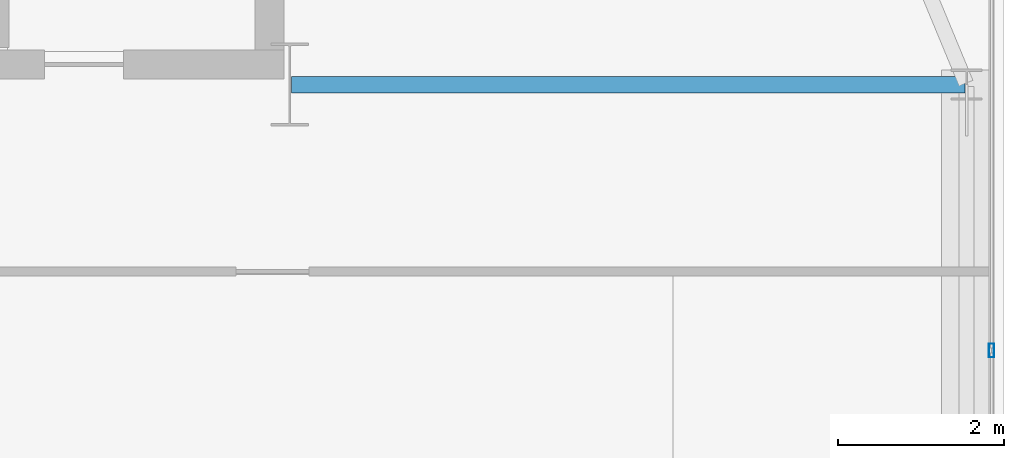
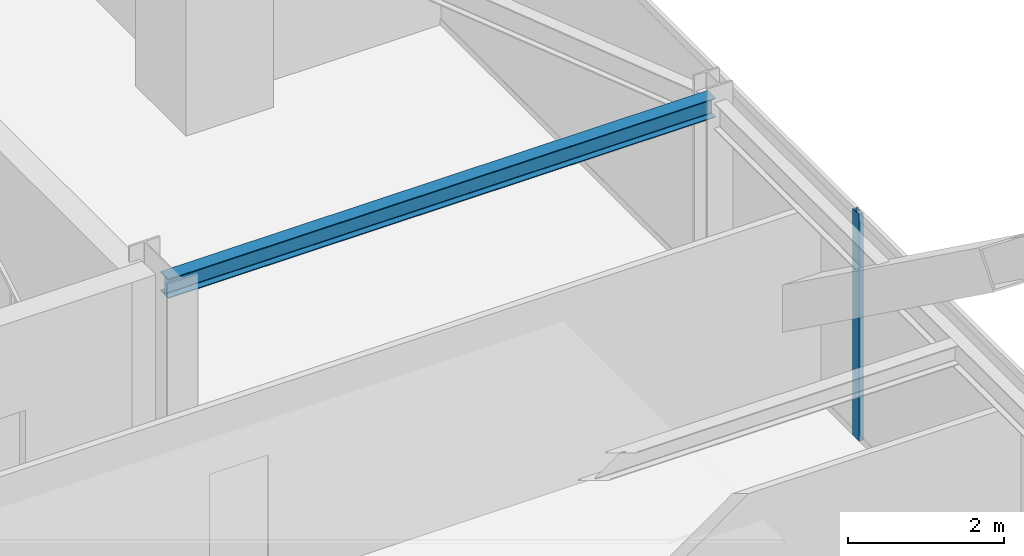
# One storey, part 20 of 34: 1 beam, 1 member, 1 element without a shape of its own.
"""IFC4 building model written with IfcOpenShell, lengths in metres."""

import ifcopenshell
import ifcopenshell.guid

model = None  # the IFC model being written
_history = None  # IfcOwnerHistory: only IFC2X3 demands one
_inside = {}  # id of a spatial element -> (the spatial element, [elements in it])
_under = {}  # id of a project, library or spatial element -> (it, [spatial elements below it])
_declared = {}  # id of a project -> (the project, [libraries it declares])
_typed = {}  # id of a type object -> (the type object, [elements of that type])
_made_of = {}  # id of a material, layer set ... -> (it, [elements and type objects made of it])


def new_model(schema):
    """Start an empty IFC model of exactly this schema.

    Asked for "IFC4X3", IfcOpenShell would pick the latest addendum, in which some entities
    have other attributes; the version numbers below select the first issue.
    IFC2X3 requires an IfcOwnerHistory on every rooted entity: one is made here for all.
    """
    global model, _history
    if schema == "IFC4X3":
        model = ifcopenshell.file(schema_version=(4, 3, 0, 0))
    else:
        model = ifcopenshell.file(schema=schema)
    _inside.clear()
    _under.clear()
    _declared.clear()
    _typed.clear()
    _made_of.clear()
    _history = None
    if model.schema == "IFC2X3":
        org = make("IfcOrganization", Name="unknown")
        user = make(
            "IfcPersonAndOrganization",
            ThePerson=make("IfcPerson", FamilyName="unknown"),
            TheOrganization=org,
        )
        app = make(
            "IfcApplication",
            ApplicationDeveloper=org,
            Version="unknown",
            ApplicationFullName="unknown",
            ApplicationIdentifier="unknown",
        )
        _history = make(
            "IfcOwnerHistory",
            OwningUser=user,
            OwningApplication=app,
            ChangeAction="ADDED",
            CreationDate=0,
        )
    return model


def make(cls, **values):
    """One entity of the class cls with the attributes given. An attribute that is None is left unset."""
    return model.create_entity(
        cls, **{name: value for name, value in values.items() if value is not None}
    )


def rooted(cls, **values):
    """An entity with a GlobalId (a new one), such as an element, a storey or a relation."""
    return make(cls, GlobalId=ifcopenshell.guid.new(), OwnerHistory=_history, **values)


def si_unit(unit_type, name, prefix=None):
    """IfcSIUnit, for example si_unit("LENGTHUNIT", "METRE", prefix="MILLI")."""
    return make("IfcSIUnit", UnitType=unit_type, Prefix=prefix, Name=name)


def assignment(units):
    """IfcUnitAssignment: the units of a project."""
    return None if units is None else make("IfcUnitAssignment", Units=units)


def point(xyz):
    """IfcCartesianPoint."""
    return None if xyz is None else make("IfcCartesianPoint", Coordinates=xyz)


def direction(xyz):
    """IfcDirection."""
    return None if xyz is None else make("IfcDirection", DirectionRatios=xyz)


def frame(location, z_axis=None, x_axis=None):
    """IfcAxis2Placement3D, a coordinate frame: its origin and axes. An axis left out is left unset."""
    return make(
        "IfcAxis2Placement3D",
        Location=point(location),
        Axis=direction(z_axis),
        RefDirection=direction(x_axis),
    )


def frame_2d(location, x_axis=None):
    """IfcAxis2Placement2D, a coordinate frame in the plane: its origin and x axis."""
    return make(
        "IfcAxis2Placement2D", Location=point(location), RefDirection=direction(x_axis)
    )


def origin():
    """The frame at (0, 0, 0) with its axes left unset."""
    return frame((0.0, 0.0, 0.0))


def origin_2d():
    """The frame at (0, 0) in the plane with its x axis left unset."""
    return frame_2d((0.0, 0.0))


def place(relative_to, where):
    """IfcLocalPlacement: puts the frame where relative to a parent placement (None: the world)."""
    return make(
        "IfcLocalPlacement", PlacementRelTo=relative_to, RelativePlacement=where
    )


def context(
    kind, dimensions, precision=None, world=None, true_north=None, identifier=None
):
    """IfcGeometricRepresentationContext, for example the 3D "Model" context."""
    return make(
        "IfcGeometricRepresentationContext",
        ContextIdentifier=identifier,
        ContextType=kind,
        CoordinateSpaceDimension=dimensions,
        Precision=precision,
        WorldCoordinateSystem=world,
        TrueNorth=true_north,
    )


def subcontext(parent, identifier, kind, view, scale=None):
    """IfcGeometricRepresentationSubContext, for example "Body" below "Model"."""
    return make(
        "IfcGeometricRepresentationSubContext",
        ContextIdentifier=identifier,
        ContextType=kind,
        ParentContext=parent,
        TargetScale=scale,
        TargetView=view,
    )


def project(units=None, contexts=None):
    """IfcProject with its units and contexts."""
    return rooted(
        "IfcProject",
        Name="project",
        RepresentationContexts=contexts,
        UnitsInContext=assignment(units),
    )


def spatial(cls, under=None, at=None, **own):
    """A site, building, storey or space (cls), placed at a placement, below another one or the project."""
    s = rooted(cls, ObjectPlacement=at, **own)
    if under is not None:
        _under.setdefault(under.id(), (under, []))[1].append(s)
    return s


def profile(cls, at=None, kind="AREA", **sizes):
    """A parametric profile (cls). Its sizes go by their IFC names, for example OverallWidth=200.0."""
    return make(cls, ProfileType=kind, Position=at, **sizes)


def hollow_rectangle(**sizes):
    """IfcRectangleHollowProfileDef."""
    return profile("IfcRectangleHollowProfileDef", **sizes)


def i_section(**sizes):
    """IfcIShapeProfileDef."""
    return profile("IfcIShapeProfileDef", **sizes)


def extrude(swept, where, along, depth):
    """IfcExtrudedAreaSolid: the profile swept, set in the frame where, extruded along a direction by depth."""
    return make(
        "IfcExtrudedAreaSolid",
        SweptArea=swept,
        Position=where,
        ExtrudedDirection=direction(along),
        Depth=depth,
    )


def shape(context_of_items, identifier, shape_type, items):
    """IfcShapeRepresentation: the items that make up one representation, for example the "Body"."""
    return make(
        "IfcShapeRepresentation",
        ContextOfItems=context_of_items,
        RepresentationIdentifier=identifier,
        RepresentationType=shape_type,
        Items=items,
    )


def source(mapping_origin, context_of_items, identifier, shape_type, items):
    """IfcRepresentationMap: a shape defined once, which mapped items show again and again."""
    return make(
        "IfcRepresentationMap",
        MappingOrigin=mapping_origin,
        MappedRepresentation=shape(context_of_items, identifier, shape_type, items),
    )


def transform(
    local_origin,
    x_axis=None,
    y_axis=None,
    z_axis=None,
    scale=None,
    scale2=None,
    scale3=None,
    uniform=True,
):
    """IfcCartesianTransformationOperator3D, or its non-uniform kind. x_axis, y_axis, z_axis: its Axis1, 2, 3."""
    if uniform:
        return make(
            "IfcCartesianTransformationOperator3D",
            Axis1=direction(x_axis),
            Axis2=direction(y_axis),
            LocalOrigin=point(local_origin),
            Scale=scale,
            Axis3=direction(z_axis),
        )
    return make(
        "IfcCartesianTransformationOperator3DnonUniform",
        Axis1=direction(x_axis),
        Axis2=direction(y_axis),
        LocalOrigin=point(local_origin),
        Scale=scale,
        Axis3=direction(z_axis),
        Scale2=scale2,
        Scale3=scale3,
    )


def mapped(mapping_source, mapping_target):
    """IfcMappedItem: shows the shape of a source again, moved by a transform."""
    return make(
        "IfcMappedItem", MappingSource=mapping_source, MappingTarget=mapping_target
    )


def material(Name=None, Category=None):
    """IfcMaterial."""
    return make("IfcMaterial", Name=Name, Category=Category)


def layer(
    of_material, thickness, ventilated=None, Name=None, Category=None, Priority=None
):
    """IfcMaterialLayer: one layer of a wall or slab, of a material (None: an air gap)."""
    return make(
        "IfcMaterialLayer",
        Material=of_material,
        LayerThickness=thickness,
        IsVentilated=ventilated,
        Name=Name,
        Category=Category,
        Priority=Priority,
    )


def layer_set(layers, Name=None):
    """IfcMaterialLayerSet."""
    return make("IfcMaterialLayerSet", MaterialLayers=layers, LayerSetName=Name)


def material_profile(
    of_material, cross_section, Name=None, Category=None, Priority=None
):
    """IfcMaterialProfile: a cross section and its material."""
    return make(
        "IfcMaterialProfile",
        Name=Name,
        Material=of_material,
        Profile=cross_section,
        Priority=Priority,
        Category=Category,
    )


def profile_set(profiles, Name=None, composite=None):
    """IfcMaterialProfileSet."""
    return make(
        "IfcMaterialProfileSet",
        Name=Name,
        MaterialProfiles=profiles,
        CompositeProfile=composite,
    )


def made_of(thing, what):
    """Note that an element or type object is made of a material, layer set ...; save() writes the relation."""
    if what is not None:
        _made_of.setdefault(what.id(), (what, []))[1].append(thing)
    return thing


def type_object(cls, material=None, **own):
    """A type object (cls), such as IfcWallType, which elements share."""
    return made_of(rooted(cls, **own), material)


def type_shapes(of_type, sources):
    """Give a type object the sources (RepresentationMaps) that its elements show as mapped items."""
    of_type.RepresentationMaps = sources


def element(
    cls,
    number,
    at=None,
    inside=None,
    cuts=None,
    type_object=None,
    material=None,
    context=None,
    identifier="Body",
    shape_type=None,
    held_by="IfcProductDefinitionShape",
    body=None,
    shapes=None,
    **own,
):
    """One element of the class cls, such as IfcWall. Its Tag is "e" and its number.

    at: its placement. inside: the storey or other place that contains it. cuts: it is an
    opening in that element (IfcRelVoidsElement). A single representation is given by context,
    identifier, shape_type and body (its items); several are given by shapes. held_by: the class
    of the entity that holds the representations. save() writes the other relations.
    """
    e = rooted(cls, Tag="e%d" % number, ObjectPlacement=at, **own)
    if body is not None:
        shapes = [shape(context, identifier, shape_type, body)]
    if shapes is not None:
        e.Representation = make(held_by, Representations=shapes)
    if inside is not None:
        _inside.setdefault(inside.id(), (inside, []))[1].append(e)
    if cuts is not None:
        rooted(
            "IfcRelVoidsElement", RelatingBuildingElement=cuts, RelatedOpeningElement=e
        )
    if type_object is not None:
        _typed.setdefault(type_object.id(), (type_object, []))[1].append(e)
    return made_of(e, material)


def aggregate(whole, parts):
    """IfcRelAggregates: a whole, such as a stair, and the parts it consists of."""
    return rooted("IfcRelAggregates", RelatingObject=whole, RelatedObjects=parts)


def save(model, path):
    """Write the relations noted so far, then the file.

    IfcRelAggregates (storeys below a building ...), IfcRelContainedInSpatialStructure (elements
    in a storey), IfcRelDefinesByType, IfcRelAssociatesMaterial and IfcRelDeclares: one each for
    every whole, place, type object, material and project.
    """
    for whole, parts in _under.values():
        aggregate(whole, parts)
    for where, things in _inside.values():
        rooted(
            "IfcRelContainedInSpatialStructure",
            RelatedElements=things,
            RelatingStructure=where,
        )
    for kind, things in _typed.values():
        rooted("IfcRelDefinesByType", RelatedObjects=things, RelatingType=kind)
    for what, things in _made_of.values():
        rooted("IfcRelAssociatesMaterial", RelatedObjects=things, RelatingMaterial=what)
    for by, libraries in _declared.values():
        rooted("IfcRelDeclares", RelatingContext=by, RelatedDefinitions=libraries)
    model.write(path)


model = new_model("IFC4")

# Units and contexts
model_context = context("Model", 3, precision=1e-05, world=origin(), true_north=direction((0.0, 1.0)))
body_context = subcontext(model_context, "Body", "Model", "MODEL_VIEW")
ifc_project = project(units=[si_unit("LENGTHUNIT", "METRE"), si_unit("AREAUNIT", "SQUARE_METRE"), si_unit("VOLUMEUNIT", "CUBIC_METRE"), si_unit("PLANEANGLEUNIT", "RADIAN"), si_unit("MASSUNIT", "GRAM", prefix="KILO")], contexts=[model_context])

# Site, building, storey
site_placement = place(None, origin())
site = spatial("IfcSite", under=ifc_project, at=site_placement, CompositionType="ELEMENT")
building_placement = place(site_placement, origin())
building = spatial("IfcBuilding", under=site, at=building_placement, Name="Varnel Quay Broadcast Tower", CompositionType="ELEMENT")
storey_placement = place(building_placement, frame((0.0, 0.0, 176.199951171875)))
storey = spatial("IfcBuildingStorey", under=building, at=storey_placement, Name="L43", CompositionType="ELEMENT", Elevation=176.199951171875)

# Beam
ifc_material_1 = material(Name="Structural Steel CSA G40.21 350W", Category="steel")
ifc_material_profile_1 = material_profile(ifc_material_1, i_section(OverallWidth=0.202880859375, OverallDepth=0.302978515625, WebThickness=0.007568359375, FlangeThickness=0.01318359375, FilletRadius=0.011962890625, at=origin_2d()), Name="W310X60")
ifc_profile_set_1 = profile_set([ifc_material_profile_1], Name="Structural Steel CSA G40.21 350W")
beam_type = type_object("IfcBeamType", Name="Beam_W310X60", PredefinedType="JOIST", material=ifc_profile_set_1)
shared_shape_1 = source(origin(), body_context, "Body", "SweptSolid", [
    extrude(i_section(OverallWidth=0.202880859375, OverallDepth=0.302978515625, WebThickness=0.007568359375, FlangeThickness=0.01318359375, FilletRadius=0.011962890625, at=origin_2d()), origin(), (0.0, 0.0, 1.0), 8.110107421875),
])
type_shapes(beam_type, [shared_shape_1])
beam_placement = place(storey_placement, frame((52.419921875, 35.60009765625, 3.3984375), z_axis=(1.0, 0.0, 0.0), x_axis=(0.0, 1.0, 0.0)))
element("IfcBeam", 1, at=beam_placement, inside=storey, type_object=beam_type, Name="L43 East Core Tie Joist", PredefinedType="JOIST", context=body_context, shape_type="MappedRepresentation", body=[
    mapped(shared_shape_1, transform((0.0, 0.0, 0.0), x_axis=(1.0, 0.0, 0.0), y_axis=(0.0, 1.0, 0.0), z_axis=(0.0, 0.0, 1.0), scale=1.0)),
])

# Curtain wall, member
ifc_material_2 = material(Name="Anodised Bronze Aluminium 6063-T6", Category="aluminium")
ifc_layer = layer(ifc_material_2, 0.18994140625, Name="Anodised Bronze Aluminium 6063-T6")
ifc_layer_set = layer_set([ifc_layer], Name="Anodised Bronze Aluminium 6063-T6")
curtain_wall_type = type_object("IfcCurtainWallType", Name="CW_UpperTower", PredefinedType="NOTDEFINED", material=ifc_layer_set)
curtain_wall_placement = place(storey_placement, origin())
curtain_wall = element("IfcCurtainWall", 2, at=curtain_wall_placement, inside=storey, type_object=curtain_wall_type, Name="L43 East Unitised Curtain Wall", PredefinedType="NOTDEFINED")
ifc_material_profile_2 = material_profile(ifc_material_2, hollow_rectangle(XDim=0.06494140625, YDim=0.1650390625, WallThickness=0.00341796875, at=origin_2d()), Name="ALU65X165X3.5")
ifc_profile_set_2 = profile_set([ifc_material_profile_2], Name="Anodised Bronze Aluminium 6063-T6")
member_type = type_object("IfcMemberType", Name="Mull_CWS-03", PredefinedType="MULLION", material=ifc_profile_set_2)
shared_shape_2 = source(origin(), body_context, "Body", "SweptSolid", [
    extrude(hollow_rectangle(XDim=0.06494140625, YDim=0.1650390625, WallThickness=0.00341796875, at=origin_2d()), origin(), (0.0, 0.0, 1.0), 3.550048828125),
])
type_shapes(member_type, [shared_shape_2])
member_placement = place(storey_placement, frame((60.85009765625, 32.39990234375, 0.0), z_axis=(0.0, 0.0, 1.0), x_axis=(-1.0, 0.0, 0.0)))
member = element("IfcMember", 3, at=member_placement, type_object=member_type, Name="CWS-03 mullion 3", PredefinedType="MULLION", context=body_context, shape_type="MappedRepresentation", body=[
    mapped(shared_shape_2, transform((0.0, 0.0, 0.0), x_axis=(1.0, 0.0, 0.0), y_axis=(0.0, 1.0, 0.0), z_axis=(0.0, 0.0, 1.0), scale=1.0)),
])
aggregate(curtain_wall, [member])

save(model, "model.ifc")
